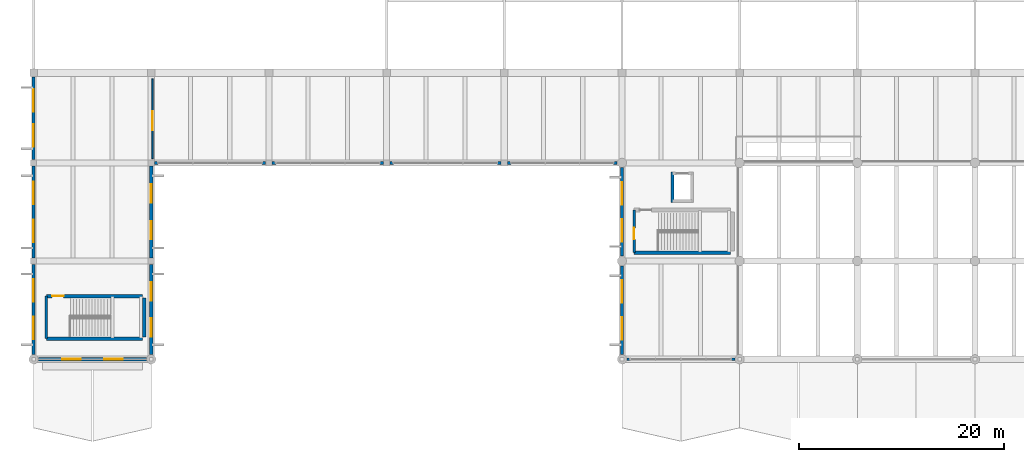
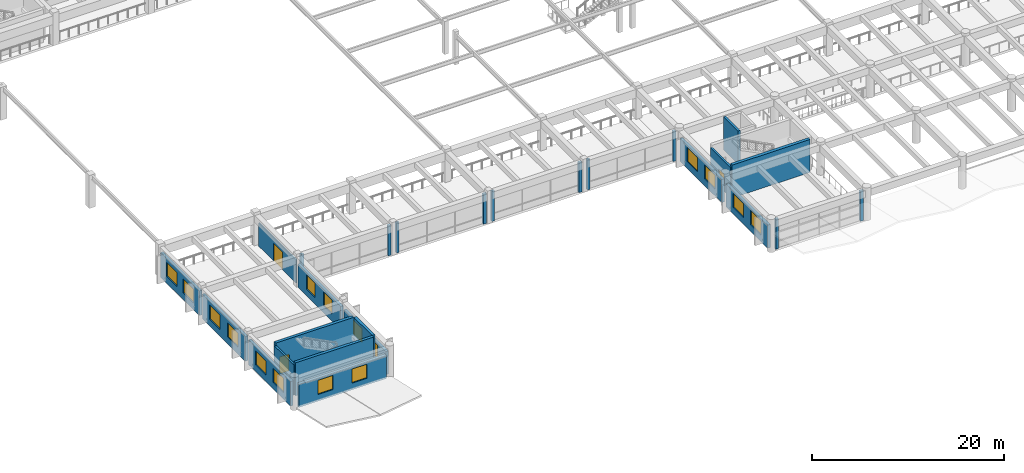
# One storey, part 70 of 98: 26 walls, 16 windows, 3 doors, 19 openings.
"""IFC4 building model written with IfcOpenShell, lengths in metres."""

from ifc_helpers import new_model, si_unit, direction, frame, frame_2d, origin, place, context, subcontext, project, spatial, rectangle, extrude, material, layer, layer_set, type_object, element, fill, save


model = new_model("IFC4")

# Units and contexts
model_context = context("Model", 3, precision=1e-05, world=origin(), true_north=direction((0.0, 1.0)))
body_context = subcontext(model_context, "Body", "Model", "MODEL_VIEW")
ifc_project = project(units=[si_unit("LENGTHUNIT", "METRE"), si_unit("AREAUNIT", "SQUARE_METRE"), si_unit("VOLUMEUNIT", "CUBIC_METRE"), si_unit("PLANEANGLEUNIT", "RADIAN"), si_unit("MASSUNIT", "GRAM", prefix="KILO")], contexts=[model_context])

# Site, building, storey
site_placement = place(None, origin())
site = spatial("IfcSite", under=ifc_project, at=site_placement, CompositionType="ELEMENT")
building_placement = place(site_placement, origin())
building = spatial("IfcBuilding", under=site, at=building_placement, Name="Ologun Quay Terminus", CompositionType="ELEMENT")
storey_placement = place(building_placement, frame((0.0, 0.0, 4.199951171875)))
storey = spatial("IfcBuildingStorey", under=building, at=storey_placement, Name="L01", CompositionType="ELEMENT", Elevation=4.199951171875)

# Wall, opening, door
ifc_material_1 = material(Name="Gypsum Acoustic Stud")
ifc_layer_1 = layer(ifc_material_1, 0.14990234375)
ifc_layer_set_1 = layer_set([ifc_layer_1], Name="Gypsum Acoustic Stud")
wall_type_1 = type_object("IfcWallType", Name="Community & Reading Room Partition 150", PredefinedType="PARTITIONING", material=ifc_layer_set_1)
wall_1_placement = place(storey_placement, frame((11.60009765625, 27.60009765625, 0.0), z_axis=(0.0, 0.0, 1.0), x_axis=(0.0, 1.0, 0.0)))
wall_1 = element("IfcWall", 1, at=wall_1_placement, inside=storey, type_object=wall_type_1, Name="PW-05 Partition L01-HeritageGal-E", PredefinedType="PARTITIONING", context=body_context, shape_type="SweptSolid", body=[
    extrude(rectangle(XDim=7.7998046875, YDim=0.14990234375, at=frame_2d((3.89990234375, 0.0))), origin(), (0.0, 0.0, 1.0), 2.949951171875),
])
opening_1_placement = place(wall_1_placement, frame((2.800048828125, 0.0, 0.0)))
opening_1 = element("IfcOpeningElement", 2, at=opening_1_placement, cuts=wall_1, Name="Opening ID-305", PredefinedType="OPENING", context=body_context, shape_type="SweptSolid", body=[
    extrude(rectangle(XDim=1.85009765625, YDim=2.25, at=frame_2d((0.925048828125, 1.125))), frame((0.0, 0.0849609375, 0.0), z_axis=(0.0, -1.0, 0.0), x_axis=(1.0, 0.0, 0.0)), (0.0, 0.0, 1.0), 0.169921875),
])
ifc_material_2 = material(Name="Glass", Category="glass")
door_type_1 = type_object("IfcDoorType", Name="Reading Room Glazed Pair 1850x2250", OperationType="DOUBLE_DOOR_SINGLE_SWING", PredefinedType="DOOR", material=ifc_material_2)
door_1_placement = place(opening_1_placement, origin())
door_1 = element("IfcDoor", 3, at=door_1_placement, inside=storey, type_object=door_type_1, Name="ID-11 Door ID-305", OperationType="DOUBLE_DOOR_SINGLE_SWING", OverallHeight=2.25, OverallWidth=1.85009765625, PredefinedType="DOOR", context=body_context, shape_type="SweptSolid", body=[
    extrude(rectangle(XDim=1.85009765625, YDim=2.25, at=frame_2d((0.925048828125, 1.125))), frame((0.0, 0.02490234375, 0.0), z_axis=(0.0, -1.0, 0.0), x_axis=(1.0, 0.0, 0.0)), (0.0, 0.0, 1.0), 0.050048828125),
])
fill(opening_1, door_1)

# Walls
ifc_material_3 = material(Name="Concrete C40/50", Category="concrete")
ifc_layer_2 = layer(ifc_material_3, 0.280029296875)
ifc_layer_set_2 = layer_set([ifc_layer_2], Name="Concrete C40/50")
wall_type_2 = type_object("IfcWallType", Name="Courtyard Wing Spandrel Concrete Wall 280", PredefinedType="SOLIDWALL", material=ifc_layer_set_2)
for number, where, z_axis, x_axis, name in (
    (4, (11.820068359375, 27.199951171875, 0.0), (0.0, 0.0, 1.0), (1.0, 0.0, 0.0), "Curtain Wall Jamb Pier CW-L01-010-J1"),
    (5, (22.330078125, 27.199951171875, 0.0), (0.0, 0.0, 1.0), (1.0, 0.0, 0.0), "Curtain Wall Jamb Pier CW-L01-010-J2"),
    (6, (23.320068359375, 27.199951171875, 0.0), (0.0, 0.0, 1.0), (1.0, 0.0, 0.0), "Curtain Wall Jamb Pier CW-L01-011-J1"),
    (7, (33.830078125, 27.199951171875, 0.0), (0.0, 0.0, 1.0), (1.0, 0.0, 0.0), "Curtain Wall Jamb Pier CW-L01-011-J2"),
    (8, (34.820068359375, 27.199951171875, 0.0), (0.0, 0.0, 1.0), (1.0, 0.0, 0.0), "Curtain Wall Jamb Pier CW-L01-012-J1"),
    (9, (45.330078125, 27.199951171875, 0.0), (0.0, 0.0, 1.0), (1.0, 0.0, 0.0), "Curtain Wall Jamb Pier CW-L01-012-J2"),
    (10, (46.320068359375, 27.199951171875, 0.0), (0.0, 0.0, 1.0), (1.0, 0.0, 0.0), "Curtain Wall Jamb Pier CW-L01-013-J1"),
):
    element("IfcWall", number, at=place(storey_placement, frame(where, z_axis=z_axis, x_axis=x_axis)), inside=storey, type_object=wall_type_2, Name=name, PredefinedType="SOLIDWALL", context=body_context, shape_type="SweptSolid", body=[
        extrude(rectangle(XDim=0.349853515625, YDim=0.280029296875, at=frame_2d((0.1748046875, 0.0))), origin(), (0.0, 0.0, 1.0), 3.840087890625),
    ])
for number, where, z_axis, x_axis, name in (
    (11, (56.679931640625, 27.199951171875, 0.0), (0.0, 0.0, 1.0), (1.0, 0.0, 0.0), "Curtain Wall Jamb Pier CW-L01-013-J2"),
    (12, (57.969970703125, 8.0, 0.0), (0.0, 0.0, 1.0), (1.0, 0.0, 0.0), "Curtain Wall Jamb Pier CW-L01-014-J1"),
    (13, (68.179931640625, 8.0, 0.0), (0.0, 0.0, 1.0), (1.0, 0.0, 0.0), "Curtain Wall Jamb Pier CW-L01-014-J2"),
):
    element("IfcWall", number, at=place(storey_placement, frame(where, z_axis=z_axis, x_axis=x_axis)), inside=storey, type_object=wall_type_2, Name=name, PredefinedType="SOLIDWALL", context=body_context, shape_type="SweptSolid", body=[
        extrude(rectangle(XDim=0.35009765625, YDim=0.280029296875, at=frame_2d((0.175048828125, 0.0))), origin(), (0.0, 0.0, 1.0), 3.840087890625),
    ])
ifc_material_4 = material(Name="Concrete C40/50", Category="concrete")
ifc_layer_3 = layer(ifc_material_4, 0.239990234375)
ifc_layer_set_3 = layer_set([ifc_layer_3], Name="Concrete C40/50")
wall_type_3 = type_object("IfcWallType", Name="Fire Compartment Blockwork Wall 240", PredefinedType="SOLIDWALL", material=ifc_layer_set_3)
wall_2_placement = place(storey_placement, frame((1.25, 10.02001953125, 0.0), z_axis=(0.0, 0.0, 1.0), x_axis=(0.0, 1.0, 0.0)))
element("IfcWall", 14, at=wall_2_placement, inside=storey, type_object=wall_type_3, Name="PW-01 Partition ST-S1-W", PredefinedType="SOLIDWALL", context=body_context, shape_type="SweptSolid", body=[
    extrude(rectangle(XDim=4.159912109375, YDim=0.239990234375, at=frame_2d((2.080078125, 0.0))), origin(), (0.0, 0.0, 1.0), 3.840087890625),
])

# Wall, opening, door
wall_3_placement = place(storey_placement, frame((58.699951171875, 18.419921875, 0.0), z_axis=(0.0, 0.0, 1.0), x_axis=(0.0, 1.0, 0.0)))
wall_3 = element("IfcWall", 15, at=wall_3_placement, inside=storey, type_object=wall_type_3, Name="PW-01 Partition ST-S3-W", PredefinedType="SOLIDWALL", context=body_context, shape_type="SweptSolid", body=[
    extrude(rectangle(XDim=4.16015625, YDim=0.239990234375, at=frame_2d((2.080078125, 0.0))), origin(), (0.0, 0.0, 1.0), 3.840087890625),
])
opening_2_placement = place(wall_3_placement, frame((1.300048828125, 0.0, 0.0)))
opening_2 = element("IfcOpeningElement", 16, at=opening_2_placement, cuts=wall_3, Name="Opening ID-255", PredefinedType="OPENING", context=body_context, shape_type="SweptSolid", body=[
    extrude(rectangle(XDim=1.1298828125, YDim=2.14990234375, at=frame_2d((0.56494140625, 1.074951171875))), frame((0.0, 0.1298828125, 0.0), z_axis=(0.0, -1.0, 0.0), x_axis=(1.0, 0.0, 0.0)), (0.0, 0.0, 1.0), 0.260009765625),
])
ifc_material_5 = material(Name="Steel S355", Category="steel")
door_type_2 = type_object("IfcDoorType", Name="Stairwell Fire Escape Door 1130x2150", OperationType="SINGLE_SWING_LEFT", PredefinedType="DOOR", material=ifc_material_5)
door_2_placement = place(opening_2_placement, frame((0.56494140625, 0.0, 0.0), z_axis=(0.0, 0.0, 1.0), x_axis=(-1.0, 0.0, 0.0)))
door_2 = element("IfcDoor", 17, at=door_2_placement, inside=storey, type_object=door_type_2, Name="FD-01 Door ID-255", OperationType="SINGLE_SWING_LEFT", OverallHeight=2.14990234375, OverallWidth=1.1298828125, PredefinedType="DOOR", context=body_context, shape_type="SweptSolid", body=[
    extrude(rectangle(XDim=1.1298828125, YDim=2.14990234375, at=frame_2d((0.0, 1.074951171875))), frame((0.0, 0.02490234375, 0.0), z_axis=(0.0, -1.0, 0.0), x_axis=(1.0, 0.0, 0.0)), (0.0, 0.0, 1.0), 0.050048828125),
])
fill(opening_2, door_2)

# Walls
ifc_material_6 = material(Name="Concrete C40/50", Category="concrete")
ifc_layer_4 = layer(ifc_material_6, 0.300048828125)
ifc_layer_set_4 = layer_set([ifc_layer_4], Name="Concrete C40/50")
wall_type_4 = type_object("IfcWallType", Name="Lift Shaft Structural Shear Wall 300", PredefinedType="SHEAR", material=ifc_layer_set_4)
wall_4_placement = place(storey_placement, frame((62.449951171875, 23.300048828125, 0.0), z_axis=(0.0, 0.0, 1.0), x_axis=(0.0, 1.0, 0.0)))
element("IfcWall", 18, at=wall_4_placement, inside=storey, type_object=wall_type_4, Name="Lift PL-S1 Shaft Wall W L01", PredefinedType="SHEAR", context=body_context, shape_type="SweptSolid", body=[
    extrude(rectangle(XDim=3.0, YDim=0.300048828125, at=frame_2d((1.5, 0.0))), origin(), (0.0, 0.0, 1.0), 4.199951171875),
])
ifc_material_7 = material(Name="Concrete C40/50", Category="concrete")
ifc_layer_5 = layer(ifc_material_7, 0.3798828125)
ifc_layer_set_5 = layer_set([ifc_layer_5], Name="Concrete C40/50")
wall_type_5 = type_object("IfcWallType", Name="Platform Spine Shear Wall 380", PredefinedType="SHEAR", material=ifc_layer_set_5)
wall_5_placement = place(storey_placement, frame((58.699951171875, 18.409912109375, 0.0), z_axis=(0.0, 0.0, 1.0), x_axis=(1.0, 0.0, 0.0)))
element("IfcWall", 19, at=wall_5_placement, inside=storey, type_object=wall_type_5, Name="Station Core 3 S Shear Wall L01", PredefinedType="SHEAR", context=body_context, shape_type="SweptSolid", body=[
    extrude(rectangle(XDim=9.400146484375, YDim=0.3798828125, at=frame_2d((4.7001953125, 0.0))), origin(), (0.0, 0.0, 1.0), 4.199951171875),
])

# Wall, openings, windows
ifc_material_8 = material(Name="Concrete C40/50", Category="concrete")
ifc_layer_6 = layer(ifc_material_8, 0.320068359375)
ifc_layer_set_6 = layer_set([ifc_layer_6], Name="Concrete C40/50")
wall_type_6 = type_object("IfcWallType", Name="Podium Sculpted Concrete Facade Wall 320", PredefinedType="SOLIDWALL", material=ifc_layer_set_6)
wall_6_placement = place(storey_placement, frame((0.469970703125, 8.0, 0.0), z_axis=(0.0, 0.0, 1.0), x_axis=(1.0, 0.0, 0.0)))
wall_6 = element("IfcWall", 20, at=wall_6_placement, inside=storey, type_object=wall_type_6, Name="EW-01 Facade Wall WEW-SA-L01-1-1", PredefinedType="SOLIDWALL", context=body_context, shape_type="SweptSolid", body=[
    extrude(rectangle(XDim=10.56005859375, YDim=0.320068359375, at=frame_2d((5.280029296875, 0.0))), origin(), (0.0, 0.0, 1.0), 2.949951171875),
])
opening_3_placement = place(wall_6_placement, frame((2.320068359375, 0.0, 0.85009765625)))
opening_3 = element("IfcOpeningElement", 21, at=opening_3_placement, cuts=wall_6, Name="Opening WN-029", PredefinedType="OPENING", context=body_context, shape_type="SweptSolid", body=[
    extrude(rectangle(XDim=1.800048828125, YDim=1.800048828125, at=frame_2d((0.89990234375, 0.89990234375))), frame((0.0, 0.169921875, 0.0), z_axis=(0.0, -1.0, 0.0), x_axis=(1.0, 0.0, 0.0)), (0.0, 0.0, 1.0), 0.340087890625),
])
opening_4_placement = place(wall_6_placement, frame((6.43994140625, 0.0, 0.85009765625)))
opening_4 = element("IfcOpeningElement", 22, at=opening_4_placement, cuts=wall_6, Name="Opening WN-030", PredefinedType="OPENING", context=body_context, shape_type="SweptSolid", body=[
    extrude(rectangle(XDim=1.800048828125, YDim=1.800048828125, at=frame_2d((0.89990234375, 0.89990234375))), frame((0.0, 0.169921875, 0.0), z_axis=(0.0, -1.0, 0.0), x_axis=(1.0, 0.0, 0.0)), (0.0, 0.0, 1.0), 0.340087890625),
])
ifc_material_9 = material(Name="Glass", Category="glass")
window_type_1 = type_object("IfcWindowType", Name="Mezzanine Gallery Window 1800x1800", PartitioningType="SINGLE_PANEL", PredefinedType="WINDOW", material=ifc_material_9)
window_1_placement = place(opening_3_placement, origin())
window_1 = element("IfcWindow", 23, at=window_1_placement, inside=storey, type_object=window_type_1, Name="W-05 Window WN-029", OverallHeight=1.800048828125, OverallWidth=1.800048828125, PartitioningType="SINGLE_PANEL", PredefinedType="WINDOW", context=body_context, shape_type="SweptSolid", body=[
    extrude(rectangle(XDim=1.800048828125, YDim=1.800048828125, at=frame_2d((0.89990234375, 0.89990234375))), frame((0.0, 0.030029296875, 0.0), z_axis=(0.0, -1.0, 0.0), x_axis=(1.0, 0.0, 0.0)), (0.0, 0.0, 1.0), 0.06005859375),
])
fill(opening_3, window_1)
window_2_placement = place(opening_4_placement, origin())
window_2 = element("IfcWindow", 24, at=window_2_placement, inside=storey, type_object=window_type_1, Name="W-05 Window WN-030", OverallHeight=1.800048828125, OverallWidth=1.800048828125, PartitioningType="SINGLE_PANEL", PredefinedType="WINDOW", context=body_context, shape_type="SweptSolid", body=[
    extrude(rectangle(XDim=1.800048828125, YDim=1.800048828125, at=frame_2d((0.89990234375, 0.89990234375))), frame((0.0, 0.030029296875, 0.0), z_axis=(0.0, -1.0, 0.0), x_axis=(1.0, 0.0, 0.0)), (0.0, 0.0, 1.0), 0.06005859375),
])
fill(opening_4, window_2)

wall_7_placement = place(storey_placement, frame((11.5, 8.469970703125, 0.0), z_axis=(0.0, 0.0, 1.0), x_axis=(0.0, 1.0, 0.0)))
wall_7 = element("IfcWall", 25, at=wall_7_placement, inside=storey, type_object=wall_type_6, Name="EW-01 Facade Wall WEW-SA-L01-1-2", PredefinedType="SOLIDWALL", context=body_context, shape_type="SweptSolid", body=[
    extrude(rectangle(XDim=8.81005859375, YDim=0.320068359375, at=frame_2d((4.405029296875, 0.0))), origin(), (0.0, 0.0, 1.0), 2.949951171875),
])
opening_5_placement = place(wall_7_placement, frame((1.73681640625, 0.0, 0.85009765625)))
opening_5 = element("IfcOpeningElement", 26, at=opening_5_placement, cuts=wall_7, Name="Opening WN-031", PredefinedType="OPENING", context=body_context, shape_type="SweptSolid", body=[
    extrude(rectangle(XDim=1.800048828125, YDim=1.800048828125, at=frame_2d((0.89990234375, 0.89990234375))), frame((0.0, 0.169921875, 0.0), z_axis=(0.0, -1.0, 0.0), x_axis=(1.0, 0.0, 0.0)), (0.0, 0.0, 1.0), 0.340087890625),
])
opening_6_placement = place(wall_7_placement, frame((5.273193359375, 0.0, 0.85009765625)))
opening_6 = element("IfcOpeningElement", 27, at=opening_6_placement, cuts=wall_7, Name="Opening WN-032", PredefinedType="OPENING", context=body_context, shape_type="SweptSolid", body=[
    extrude(rectangle(XDim=1.800048828125, YDim=1.800048828125, at=frame_2d((0.89990234375, 0.89990234375))), frame((0.0, 0.169921875, 0.0), z_axis=(0.0, -1.0, 0.0), x_axis=(1.0, 0.0, 0.0)), (0.0, 0.0, 1.0), 0.340087890625),
])
window_3_placement = place(opening_5_placement, origin())
window_3 = element("IfcWindow", 28, at=window_3_placement, inside=storey, type_object=window_type_1, Name="W-05 Window WN-031", OverallHeight=1.800048828125, OverallWidth=1.800048828125, PartitioningType="SINGLE_PANEL", PredefinedType="WINDOW", context=body_context, shape_type="SweptSolid", body=[
    extrude(rectangle(XDim=1.800048828125, YDim=1.800048828125, at=frame_2d((0.89990234375, 0.89990234375))), frame((0.0, 0.030029296875, 0.0), z_axis=(0.0, -1.0, 0.0), x_axis=(1.0, 0.0, 0.0)), (0.0, 0.0, 1.0), 0.06005859375),
])
fill(opening_5, window_3)
window_4_placement = place(opening_6_placement, origin())
window_4 = element("IfcWindow", 29, at=window_4_placement, inside=storey, type_object=window_type_1, Name="W-05 Window WN-032", OverallHeight=1.800048828125, OverallWidth=1.800048828125, PartitioningType="SINGLE_PANEL", PredefinedType="WINDOW", context=body_context, shape_type="SweptSolid", body=[
    extrude(rectangle(XDim=1.800048828125, YDim=1.800048828125, at=frame_2d((0.89990234375, 0.89990234375))), frame((0.0, 0.030029296875, 0.0), z_axis=(0.0, -1.0, 0.0), x_axis=(1.0, 0.0, 0.0)), (0.0, 0.0, 1.0), 0.06005859375),
])
fill(opening_6, window_4)

wall_8_placement = place(storey_placement, frame((11.5, 17.919921875, 0.0), z_axis=(0.0, 0.0, 1.0), x_axis=(0.0, 1.0, 0.0)))
wall_8 = element("IfcWall", 30, at=wall_8_placement, inside=storey, type_object=wall_type_6, Name="EW-01 Facade Wall WEW-SA-L01-1-3", PredefinedType="SOLIDWALL", context=body_context, shape_type="SweptSolid", body=[
    extrude(rectangle(XDim=8.9599609375, YDim=0.320068359375, at=frame_2d((4.47998046875, 0.0))), origin(), (0.0, 0.0, 1.0), 2.949951171875),
])
opening_7_placement = place(wall_8_placement, frame((1.78662109375, 0.0, 0.85009765625)))
opening_7 = element("IfcOpeningElement", 31, at=opening_7_placement, cuts=wall_8, Name="Opening WN-033", PredefinedType="OPENING", context=body_context, shape_type="SweptSolid", body=[
    extrude(rectangle(XDim=1.800048828125, YDim=1.800048828125, at=frame_2d((0.89990234375, 0.89990234375))), frame((0.0, 0.169921875, 0.0), z_axis=(0.0, -1.0, 0.0), x_axis=(1.0, 0.0, 0.0)), (0.0, 0.0, 1.0), 0.340087890625),
])
opening_8_placement = place(wall_8_placement, frame((5.373291015625, 0.0, 0.85009765625)))
opening_8 = element("IfcOpeningElement", 32, at=opening_8_placement, cuts=wall_8, Name="Opening WN-034", PredefinedType="OPENING", context=body_context, shape_type="SweptSolid", body=[
    extrude(rectangle(XDim=1.800048828125, YDim=1.800048828125, at=frame_2d((0.89990234375, 0.89990234375))), frame((0.0, 0.169921875, 0.0), z_axis=(0.0, -1.0, 0.0), x_axis=(1.0, 0.0, 0.0)), (0.0, 0.0, 1.0), 0.340087890625),
])
window_5_placement = place(opening_7_placement, origin())
window_5 = element("IfcWindow", 33, at=window_5_placement, inside=storey, type_object=window_type_1, Name="W-05 Window WN-033", OverallHeight=1.800048828125, OverallWidth=1.800048828125, PartitioningType="SINGLE_PANEL", PredefinedType="WINDOW", context=body_context, shape_type="SweptSolid", body=[
    extrude(rectangle(XDim=1.800048828125, YDim=1.800048828125, at=frame_2d((0.89990234375, 0.89990234375))), frame((0.0, 0.030029296875, 0.0), z_axis=(0.0, -1.0, 0.0), x_axis=(1.0, 0.0, 0.0)), (0.0, 0.0, 1.0), 0.06005859375),
])
fill(opening_7, window_5)
window_6_placement = place(opening_8_placement, origin())
window_6 = element("IfcWindow", 34, at=window_6_placement, inside=storey, type_object=window_type_1, Name="W-05 Window WN-034", OverallHeight=1.800048828125, OverallWidth=1.800048828125, PartitioningType="SINGLE_PANEL", PredefinedType="WINDOW", context=body_context, shape_type="SweptSolid", body=[
    extrude(rectangle(XDim=1.800048828125, YDim=1.800048828125, at=frame_2d((0.89990234375, 0.89990234375))), frame((0.0, 0.030029296875, 0.0), z_axis=(0.0, -1.0, 0.0), x_axis=(1.0, 0.0, 0.0)), (0.0, 0.0, 1.0), 0.06005859375),
])
fill(opening_8, window_6)

wall_9_placement = place(storey_placement, frame((0.0, 8.469970703125, 0.0), z_axis=(0.0, 0.0, 1.0), x_axis=(0.0, 1.0, 0.0)))
wall_9 = element("IfcWall", 35, at=wall_9_placement, inside=storey, type_object=wall_type_6, Name="EW-01 Facade Wall WEW-SA-L01-1-14", PredefinedType="SOLIDWALL", context=body_context, shape_type="SweptSolid", body=[
    extrude(rectangle(XDim=8.81005859375, YDim=0.320068359375, at=frame_2d((4.405029296875, 0.0))), origin(), (0.0, 0.0, 1.0), 3.150146484375),
])
opening_9_placement = place(wall_9_placement, frame((1.469970703125, 0.0, 0.85009765625)))
opening_9 = element("IfcOpeningElement", 36, at=opening_9_placement, cuts=wall_9, Name="Opening WN-035", PredefinedType="OPENING", context=body_context, shape_type="SweptSolid", body=[
    extrude(rectangle(XDim=2.199951171875, YDim=1.800048828125, at=frame_2d((1.10009765625, 0.89990234375))), frame((0.0, 0.169921875, 0.0), z_axis=(0.0, -1.0, 0.0), x_axis=(1.0, 0.0, 0.0)), (0.0, 0.0, 1.0), 0.340087890625),
])
opening_10_placement = place(wall_9_placement, frame((5.139892578125, 0.0, 0.85009765625)))
opening_10 = element("IfcOpeningElement", 37, at=opening_10_placement, cuts=wall_9, Name="Opening WN-036", PredefinedType="OPENING", context=body_context, shape_type="SweptSolid", body=[
    extrude(rectangle(XDim=2.199951171875, YDim=1.800048828125, at=frame_2d((1.10009765625, 0.89990234375))), frame((0.0, 0.169921875, 0.0), z_axis=(0.0, -1.0, 0.0), x_axis=(1.0, 0.0, 0.0)), (0.0, 0.0, 1.0), 0.340087890625),
])
ifc_material_10 = material(Name="Glass", Category="glass")
window_type_2 = type_object("IfcWindowType", Name="Heritage Gallery Window 2200x1800", PartitioningType="SINGLE_PANEL", PredefinedType="WINDOW", material=ifc_material_10)
window_7_placement = place(opening_9_placement, origin())
window_7 = element("IfcWindow", 38, at=window_7_placement, inside=storey, type_object=window_type_2, Name="W-06 Window WN-035", OverallHeight=1.800048828125, OverallWidth=2.199951171875, PartitioningType="SINGLE_PANEL", PredefinedType="WINDOW", context=body_context, shape_type="SweptSolid", body=[
    extrude(rectangle(XDim=2.199951171875, YDim=1.800048828125, at=frame_2d((1.10009765625, 0.89990234375))), frame((0.0, 0.030029296875, 0.0), z_axis=(0.0, -1.0, 0.0), x_axis=(1.0, 0.0, 0.0)), (0.0, 0.0, 1.0), 0.06005859375),
])
fill(opening_9, window_7)
window_8_placement = place(opening_10_placement, origin())
window_8 = element("IfcWindow", 39, at=window_8_placement, inside=storey, type_object=window_type_2, Name="W-06 Window WN-036", OverallHeight=1.800048828125, OverallWidth=2.199951171875, PartitioningType="SINGLE_PANEL", PredefinedType="WINDOW", context=body_context, shape_type="SweptSolid", body=[
    extrude(rectangle(XDim=2.199951171875, YDim=1.800048828125, at=frame_2d((1.10009765625, 0.89990234375))), frame((0.0, 0.030029296875, 0.0), z_axis=(0.0, -1.0, 0.0), x_axis=(1.0, 0.0, 0.0)), (0.0, 0.0, 1.0), 0.06005859375),
])
fill(opening_10, window_8)

wall_10_placement = place(storey_placement, frame((0.0, 17.919921875, 0.0), z_axis=(0.0, 0.0, 1.0), x_axis=(0.0, 1.0, 0.0)))
wall_10 = element("IfcWall", 40, at=wall_10_placement, inside=storey, type_object=wall_type_6, Name="EW-01 Facade Wall WEW-SA-L01-1-15", PredefinedType="SOLIDWALL", context=body_context, shape_type="SweptSolid", body=[
    extrude(rectangle(XDim=8.9599609375, YDim=0.320068359375, at=frame_2d((4.47998046875, 0.0))), origin(), (0.0, 0.0, 1.0), 3.150146484375),
])
opening_11_placement = place(wall_10_placement, frame((1.52001953125, 0.0, 0.85009765625)))
opening_11 = element("IfcOpeningElement", 41, at=opening_11_placement, cuts=wall_10, Name="Opening WN-037", PredefinedType="OPENING", context=body_context, shape_type="SweptSolid", body=[
    extrude(rectangle(XDim=2.199951171875, YDim=1.800048828125, at=frame_2d((1.10009765625, 0.89990234375))), frame((0.0, 0.169921875, 0.0), z_axis=(0.0, -1.0, 0.0), x_axis=(1.0, 0.0, 0.0)), (0.0, 0.0, 1.0), 0.340087890625),
])
opening_12_placement = place(wall_10_placement, frame((5.239990234375, 0.0, 0.85009765625)))
opening_12 = element("IfcOpeningElement", 42, at=opening_12_placement, cuts=wall_10, Name="Opening WN-038", PredefinedType="OPENING", context=body_context, shape_type="SweptSolid", body=[
    extrude(rectangle(XDim=2.199951171875, YDim=1.800048828125, at=frame_2d((1.10009765625, 0.89990234375))), frame((0.0, 0.169921875, 0.0), z_axis=(0.0, -1.0, 0.0), x_axis=(1.0, 0.0, 0.0)), (0.0, 0.0, 1.0), 0.340087890625),
])
window_9_placement = place(opening_11_placement, origin())
window_9 = element("IfcWindow", 43, at=window_9_placement, inside=storey, type_object=window_type_2, Name="W-06 Window WN-037", OverallHeight=1.800048828125, OverallWidth=2.199951171875, PartitioningType="SINGLE_PANEL", PredefinedType="WINDOW", context=body_context, shape_type="SweptSolid", body=[
    extrude(rectangle(XDim=2.199951171875, YDim=1.800048828125, at=frame_2d((1.10009765625, 0.89990234375))), frame((0.0, 0.030029296875, 0.0), z_axis=(0.0, -1.0, 0.0), x_axis=(1.0, 0.0, 0.0)), (0.0, 0.0, 1.0), 0.06005859375),
])
fill(opening_11, window_9)
window_10_placement = place(opening_12_placement, origin())
window_10 = element("IfcWindow", 44, at=window_10_placement, inside=storey, type_object=window_type_2, Name="W-06 Window WN-038", OverallHeight=1.800048828125, OverallWidth=2.199951171875, PartitioningType="SINGLE_PANEL", PredefinedType="WINDOW", context=body_context, shape_type="SweptSolid", body=[
    extrude(rectangle(XDim=2.199951171875, YDim=1.800048828125, at=frame_2d((1.10009765625, 0.89990234375))), frame((0.0, 0.030029296875, 0.0), z_axis=(0.0, -1.0, 0.0), x_axis=(1.0, 0.0, 0.0)), (0.0, 0.0, 1.0), 0.06005859375),
])
fill(opening_12, window_10)

wall_11_placement = place(storey_placement, frame((0.0, 27.52001953125, 0.0), z_axis=(0.0, 0.0, 1.0), x_axis=(0.0, 1.0, 0.0)))
wall_11 = element("IfcWall", 45, at=wall_11_placement, inside=storey, type_object=wall_type_6, Name="EW-01 Facade Wall WEW-SA-L01-1-16", PredefinedType="SOLIDWALL", context=body_context, shape_type="SweptSolid", body=[
    extrude(rectangle(XDim=8.0849609375, YDim=0.320068359375, at=frame_2d((4.04248046875, 0.0))), origin(), (0.0, 0.0, 1.0), 3.150146484375),
])
opening_13_placement = place(wall_11_placement, frame((1.228271484375, 0.0, 0.85009765625)))
opening_13 = element("IfcOpeningElement", 46, at=opening_13_placement, cuts=wall_11, Name="Opening WN-039", PredefinedType="OPENING", context=body_context, shape_type="SweptSolid", body=[
    extrude(rectangle(XDim=2.199951171875, YDim=1.800048828125, at=frame_2d((1.10009765625, 0.89990234375))), frame((0.0, 0.169921875, 0.0), z_axis=(0.0, -1.0, 0.0), x_axis=(1.0, 0.0, 0.0)), (0.0, 0.0, 1.0), 0.340087890625),
])
opening_14_placement = place(wall_11_placement, frame((4.65673828125, 0.0, 0.85009765625)))
opening_14 = element("IfcOpeningElement", 47, at=opening_14_placement, cuts=wall_11, Name="Opening WN-040", PredefinedType="OPENING", context=body_context, shape_type="SweptSolid", body=[
    extrude(rectangle(XDim=2.199951171875, YDim=1.800048828125, at=frame_2d((1.10009765625, 0.89990234375))), frame((0.0, 0.169921875, 0.0), z_axis=(0.0, -1.0, 0.0), x_axis=(1.0, 0.0, 0.0)), (0.0, 0.0, 1.0), 0.340087890625),
])
window_11_placement = place(opening_13_placement, origin())
window_11 = element("IfcWindow", 48, at=window_11_placement, inside=storey, type_object=window_type_2, Name="W-06 Window WN-039", OverallHeight=1.800048828125, OverallWidth=2.199951171875, PartitioningType="SINGLE_PANEL", PredefinedType="WINDOW", context=body_context, shape_type="SweptSolid", body=[
    extrude(rectangle(XDim=2.199951171875, YDim=1.800048828125, at=frame_2d((1.10009765625, 0.89990234375))), frame((0.0, 0.030029296875, 0.0), z_axis=(0.0, -1.0, 0.0), x_axis=(1.0, 0.0, 0.0)), (0.0, 0.0, 1.0), 0.06005859375),
])
fill(opening_13, window_11)
window_12_placement = place(opening_14_placement, origin())
window_12 = element("IfcWindow", 49, at=window_12_placement, inside=storey, type_object=window_type_2, Name="W-06 Window WN-040", OverallHeight=1.800048828125, OverallWidth=2.199951171875, PartitioningType="SINGLE_PANEL", PredefinedType="WINDOW", context=body_context, shape_type="SweptSolid", body=[
    extrude(rectangle(XDim=2.199951171875, YDim=1.800048828125, at=frame_2d((1.10009765625, 0.89990234375))), frame((0.0, 0.030029296875, 0.0), z_axis=(0.0, -1.0, 0.0), x_axis=(1.0, 0.0, 0.0)), (0.0, 0.0, 1.0), 0.06005859375),
])
fill(opening_14, window_12)

wall_12_placement = place(storey_placement, frame((57.5, 8.469970703125, 0.0), z_axis=(0.0, 0.0, 1.0), x_axis=(0.0, 1.0, 0.0)))
wall_12 = element("IfcWall", 50, at=wall_12_placement, inside=storey, type_object=wall_type_6, Name="EW-01 Facade Wall WEW-SA-L01-2-20", PredefinedType="SOLIDWALL", context=body_context, shape_type="SweptSolid", body=[
    extrude(rectangle(XDim=8.659912109375, YDim=0.320068359375, at=frame_2d((4.330078125, 0.0))), origin(), (0.0, 0.0, 1.0), 2.949951171875),
])
opening_15_placement = place(wall_12_placement, frame((1.419921875, 0.0, 0.85009765625)))
opening_15 = element("IfcOpeningElement", 51, at=opening_15_placement, cuts=wall_12, Name="Opening WN-045", PredefinedType="OPENING", context=body_context, shape_type="SweptSolid", body=[
    extrude(rectangle(XDim=2.199951171875, YDim=1.800048828125, at=frame_2d((1.10009765625, 0.89990234375))), frame((0.0, 0.169921875, 0.0), z_axis=(0.0, -1.0, 0.0), x_axis=(1.0, 0.0, 0.0)), (0.0, 0.0, 1.0), 0.340087890625),
])
opening_16_placement = place(wall_12_placement, frame((5.0400390625, 0.0, 0.85009765625)))
opening_16 = element("IfcOpeningElement", 52, at=opening_16_placement, cuts=wall_12, Name="Opening WN-046", PredefinedType="OPENING", context=body_context, shape_type="SweptSolid", body=[
    extrude(rectangle(XDim=2.199951171875, YDim=1.800048828125, at=frame_2d((1.10009765625, 0.89990234375))), frame((0.0, 0.169921875, 0.0), z_axis=(0.0, -1.0, 0.0), x_axis=(1.0, 0.0, 0.0)), (0.0, 0.0, 1.0), 0.340087890625),
])
window_13_placement = place(opening_15_placement, origin())
window_13 = element("IfcWindow", 53, at=window_13_placement, inside=storey, type_object=window_type_2, Name="W-06 Window WN-045", OverallHeight=1.800048828125, OverallWidth=2.199951171875, PartitioningType="SINGLE_PANEL", PredefinedType="WINDOW", context=body_context, shape_type="SweptSolid", body=[
    extrude(rectangle(XDim=2.199951171875, YDim=1.800048828125, at=frame_2d((1.10009765625, 0.89990234375))), frame((0.0, 0.030029296875, 0.0), z_axis=(0.0, -1.0, 0.0), x_axis=(1.0, 0.0, 0.0)), (0.0, 0.0, 1.0), 0.06005859375),
])
fill(opening_15, window_13)
window_14_placement = place(opening_16_placement, origin())
window_14 = element("IfcWindow", 54, at=window_14_placement, inside=storey, type_object=window_type_2, Name="W-06 Window WN-046", OverallHeight=1.800048828125, OverallWidth=2.199951171875, PartitioningType="SINGLE_PANEL", PredefinedType="WINDOW", context=body_context, shape_type="SweptSolid", body=[
    extrude(rectangle(XDim=2.199951171875, YDim=1.800048828125, at=frame_2d((1.10009765625, 0.89990234375))), frame((0.0, 0.030029296875, 0.0), z_axis=(0.0, -1.0, 0.0), x_axis=(1.0, 0.0, 0.0)), (0.0, 0.0, 1.0), 0.06005859375),
])
fill(opening_16, window_14)

wall_13_placement = place(storey_placement, frame((57.5, 18.070068359375, 0.0), z_axis=(0.0, 0.0, 1.0), x_axis=(0.0, 1.0, 0.0)))
wall_13 = element("IfcWall", 55, at=wall_13_placement, inside=storey, type_object=wall_type_6, Name="EW-01 Facade Wall WEW-SA-L01-2-21", PredefinedType="SOLIDWALL", context=body_context, shape_type="SweptSolid", body=[
    extrude(rectangle(XDim=8.659912109375, YDim=0.320068359375, at=frame_2d((4.330078125, 0.0))), origin(), (0.0, 0.0, 1.0), 2.949951171875),
])
opening_17_placement = place(wall_13_placement, frame((1.419921875, 0.0, 0.85009765625)))
opening_17 = element("IfcOpeningElement", 56, at=opening_17_placement, cuts=wall_13, Name="Opening WN-047", PredefinedType="OPENING", context=body_context, shape_type="SweptSolid", body=[
    extrude(rectangle(XDim=2.199951171875, YDim=1.800048828125, at=frame_2d((1.10009765625, 0.89990234375))), frame((0.0, 0.169921875, 0.0), z_axis=(0.0, -1.0, 0.0), x_axis=(1.0, 0.0, 0.0)), (0.0, 0.0, 1.0), 0.340087890625),
])
opening_18_placement = place(wall_13_placement, frame((5.0400390625, 0.0, 0.85009765625)))
opening_18 = element("IfcOpeningElement", 57, at=opening_18_placement, cuts=wall_13, Name="Opening WN-048", PredefinedType="OPENING", context=body_context, shape_type="SweptSolid", body=[
    extrude(rectangle(XDim=2.199951171875, YDim=1.800048828125, at=frame_2d((1.10009765625, 0.89990234375))), frame((0.0, 0.169921875, 0.0), z_axis=(0.0, -1.0, 0.0), x_axis=(1.0, 0.0, 0.0)), (0.0, 0.0, 1.0), 0.340087890625),
])
window_15_placement = place(opening_17_placement, origin())
window_15 = element("IfcWindow", 58, at=window_15_placement, inside=storey, type_object=window_type_2, Name="W-06 Window WN-047", OverallHeight=1.800048828125, OverallWidth=2.199951171875, PartitioningType="SINGLE_PANEL", PredefinedType="WINDOW", context=body_context, shape_type="SweptSolid", body=[
    extrude(rectangle(XDim=2.199951171875, YDim=1.800048828125, at=frame_2d((1.10009765625, 0.89990234375))), frame((0.0, 0.030029296875, 0.0), z_axis=(0.0, -1.0, 0.0), x_axis=(1.0, 0.0, 0.0)), (0.0, 0.0, 1.0), 0.06005859375),
])
fill(opening_17, window_15)
window_16_placement = place(opening_18_placement, origin())
window_16 = element("IfcWindow", 59, at=window_16_placement, inside=storey, type_object=window_type_2, Name="W-06 Window WN-048", OverallHeight=1.800048828125, OverallWidth=2.199951171875, PartitioningType="SINGLE_PANEL", PredefinedType="WINDOW", context=body_context, shape_type="SweptSolid", body=[
    extrude(rectangle(XDim=2.199951171875, YDim=1.800048828125, at=frame_2d((1.10009765625, 0.89990234375))), frame((0.0, 0.030029296875, 0.0), z_axis=(0.0, -1.0, 0.0), x_axis=(1.0, 0.0, 0.0)), (0.0, 0.0, 1.0), 0.06005859375),
])
fill(opening_18, window_16)

# Wall
ifc_material_11 = material(Name="Concrete C40/50", Category="concrete")
ifc_layer_7 = layer(ifc_material_11, 0.35009765625)
ifc_layer_set_7 = layer_set([ifc_layer_7], Name="Concrete C40/50")
wall_type_7 = type_object("IfcWallType", Name="Station Core Shear Wall 350", PredefinedType="SHEAR", material=ifc_layer_set_7)
wall_14_placement = place(storey_placement, frame((1.25, 10.02490234375, 0.0), z_axis=(0.0, 0.0, 1.0), x_axis=(1.0, 0.0, 0.0)))
element("IfcWall", 60, at=wall_14_placement, inside=storey, type_object=wall_type_7, Name="Station Core 1 S Shear Wall L01", PredefinedType="SHEAR", context=body_context, shape_type="SweptSolid", body=[
    extrude(rectangle(XDim=9.39990234375, YDim=0.35009765625, at=frame_2d((4.699951171875, 0.0))), origin(), (0.0, 0.0, 1.0), 4.199951171875),
])

# Wall, opening, door
wall_15_placement = place(storey_placement, frame((1.25, 14.175048828125, 0.0), z_axis=(0.0, 0.0, 1.0), x_axis=(1.0, 0.0, 0.0)))
wall_15 = element("IfcWall", 61, at=wall_15_placement, inside=storey, type_object=wall_type_7, Name="Station Core 1 N Shear Wall L01", PredefinedType="SHEAR", context=body_context, shape_type="SweptSolid", body=[
    extrude(rectangle(XDim=9.39990234375, YDim=0.35009765625, at=frame_2d((4.699951171875, 0.0))), origin(), (0.0, 0.0, 1.0), 4.199951171875),
])
opening_19_placement = place(wall_15_placement, frame((0.550048828125, 0.0, 0.0)))
opening_19 = element("IfcOpeningElement", 62, at=opening_19_placement, cuts=wall_15, Name="Opening ID-235", PredefinedType="OPENING", context=body_context, shape_type="SweptSolid", body=[
    extrude(rectangle(XDim=1.1298828125, YDim=2.14990234375, at=frame_2d((0.56494140625, 1.074951171875))), frame((0.0, 0.18505859375, 0.0), z_axis=(0.0, -1.0, 0.0), x_axis=(1.0, 0.0, 0.0)), (0.0, 0.0, 1.0), 0.3701171875),
])
door_3_placement = place(opening_19_placement, frame((0.56494140625, 0.0, 0.0), z_axis=(0.0, 0.0, 1.0), x_axis=(-1.0, 0.0, 0.0)))
door_3 = element("IfcDoor", 63, at=door_3_placement, inside=storey, type_object=door_type_2, Name="FD-01 Door ID-235", OperationType="SINGLE_SWING_LEFT", OverallHeight=2.14990234375, OverallWidth=1.1298828125, PredefinedType="DOOR", context=body_context, shape_type="SweptSolid", body=[
    extrude(rectangle(XDim=1.1298828125, YDim=2.14990234375, at=frame_2d((0.0, 1.074951171875))), frame((0.0, 0.02490234375, 0.0), z_axis=(0.0, -1.0, 0.0), x_axis=(1.0, 0.0, 0.0)), (0.0, 0.0, 1.0), 0.050048828125),
])
fill(opening_19, door_3)

# Wall
wall_16_placement = place(storey_placement, frame((10.824951171875, 10.199951171875, 0.0), z_axis=(0.0, 0.0, 1.0), x_axis=(0.0, 1.0, 0.0)))
element("IfcWall", 64, at=wall_16_placement, inside=storey, type_object=wall_type_7, Name="Station Core 1 E Shear Wall L01", PredefinedType="SHEAR", context=body_context, shape_type="SweptSolid", body=[
    extrude(rectangle(XDim=3.800048828125, YDim=0.35009765625, at=frame_2d((1.89990234375, 0.0))), origin(), (0.0, 0.0, 1.0), 4.199951171875),
])

save(model, "model.ifc")
